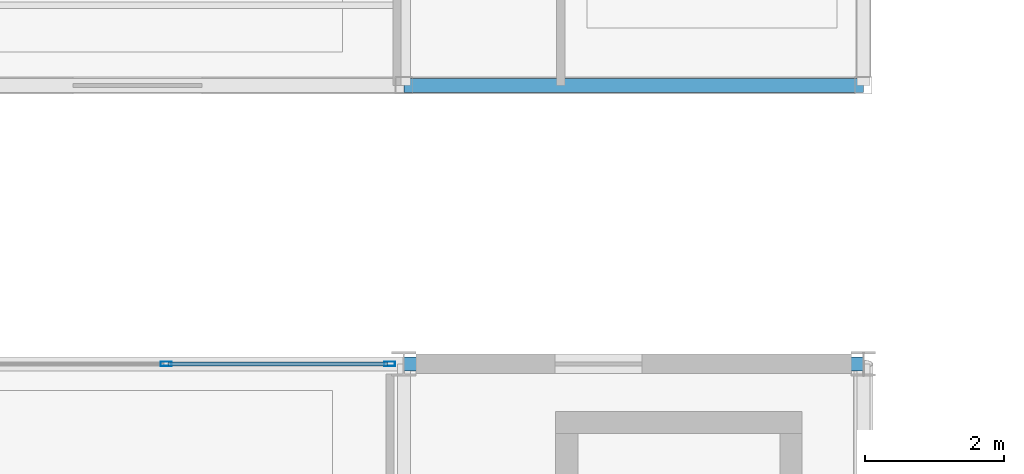
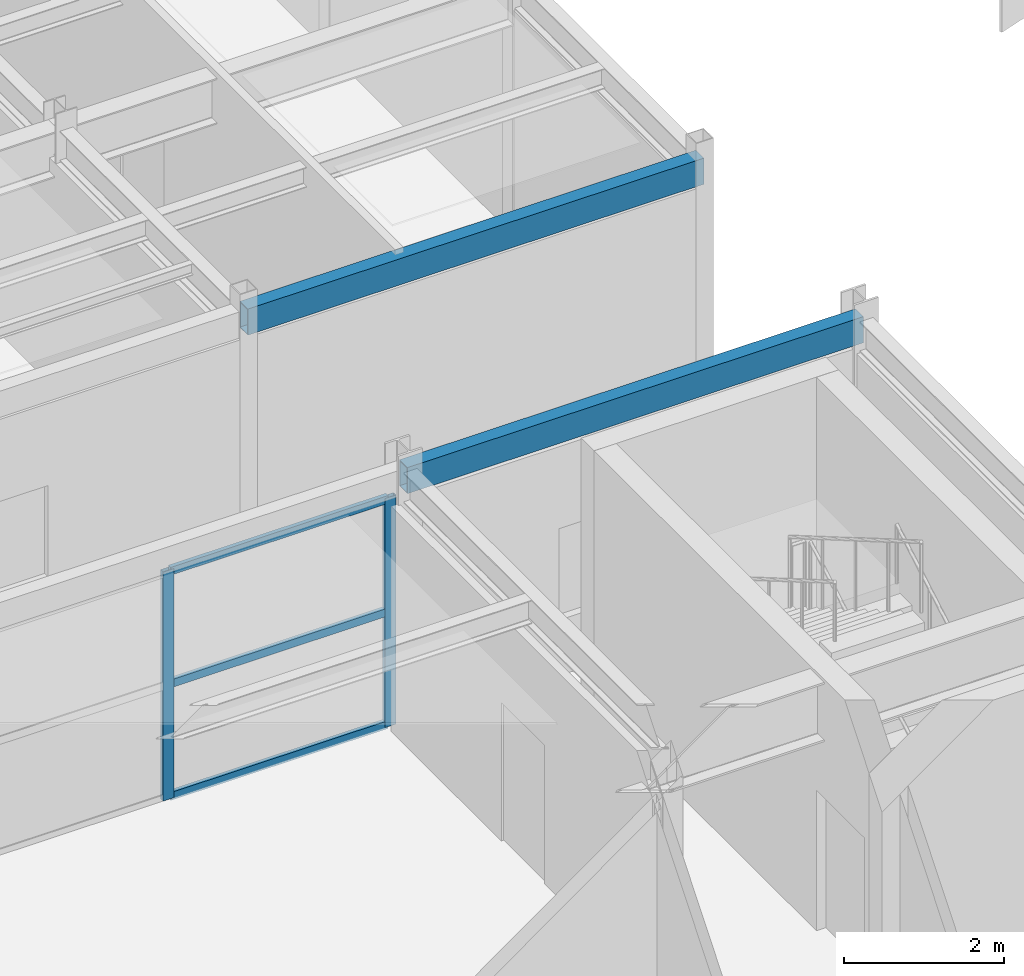
# One storey, part 23 of 148: 5 members, 2 beams, 1 element without a shape of its own.
"""IFC4 building model written with IfcOpenShell, lengths in metres."""

from ifc_helpers import new_model, si_unit, direction, frame, origin, origin_2d, place, context, subcontext, project, spatial, hollow_rectangle, extrude, material, material_profile, profile_set, type_object, element, aggregate, save


model = new_model("IFC4")

# Units and contexts
model_context = context("Model", 3, precision=1e-05, world=origin(), true_north=direction((0.0, 1.0)))
body_context = subcontext(model_context, "Body", "Model", "MODEL_VIEW")
ifc_project = project(units=[si_unit("LENGTHUNIT", "METRE"), si_unit("AREAUNIT", "SQUARE_METRE"), si_unit("VOLUMEUNIT", "CUBIC_METRE"), si_unit("PLANEANGLEUNIT", "RADIAN"), si_unit("MASSUNIT", "GRAM", prefix="KILO")], contexts=[model_context])

# Site, building, storey
site_placement = place(None, origin())
site = spatial("IfcSite", under=ifc_project, at=site_placement, CompositionType="ELEMENT")
building_placement = place(site_placement, origin())
building = spatial("IfcBuilding", under=site, at=building_placement, Name="Karori Crest Natural Sciences Institute", CompositionType="ELEMENT")
storey_placement = place(building_placement, frame((0.0, 0.0, 4.89990234375)))
storey = spatial("IfcBuildingStorey", under=building, at=storey_placement, Name="L01", CompositionType="ELEMENT", Elevation=4.89990234375)

# Beams
ifc_material_1 = material(Name="Hollow structural steel AS/NZS 1163 Grade C350", Category="steel")
ifc_material_profile_1 = material_profile(ifc_material_1, hollow_rectangle(XDim=0.199951171875, YDim=0.39990234375, WallThickness=0.012451171875, at=origin_2d()), Name="RHS400x200x12.5")
ifc_profile_set_1 = profile_set([ifc_material_profile_1], Name="Hollow structural steel AS/NZS 1163 Grade C350")
beam_type = type_object("IfcBeamType", Name="BT-14", PredefinedType="SPANDREL", material=ifc_profile_set_1)
for number, where, z_axis, x_axis, name in (
    (1, (20.60009765625, 27.199951171875, 3.72021484375), (1.0, 0.0, 0.0), (0.0, 1.0, 0.0), "Beam B-0822"),
    (2, (20.60009765625, 31.199951171875, 3.72021484375), (1.0, 0.0, 0.0), (0.0, 1.0, 0.0), "Beam B-1010"),
):
    element("IfcBeam", number, at=place(storey_placement, frame(where, z_axis=z_axis, x_axis=x_axis)), inside=storey, type_object=beam_type, Name=name, PredefinedType="SPANDREL", context=body_context, shape_type="SweptSolid", body=[
        extrude(hollow_rectangle(XDim=0.199951171875, YDim=0.39990234375, WallThickness=0.012451171875, at=origin_2d()), origin(), (0.0, 0.0, 1.0), 6.599853515625),
    ])

# Curtain wall, members
ifc_material_2 = material(Name="Anodised architectural aluminium 6063-T6", Category="aluminium")
curtain_wall_type = type_object("IfcCurtainWallType", Name="CWT-16", PredefinedType="NOTDEFINED", material=ifc_material_2)
curtain_wall_placement = place(storey_placement, origin())
curtain_wall = element("IfcCurtainWall", 3, at=curtain_wall_placement, inside=storey, type_object=curtain_wall_type, Name="Curtain wall CW-0252", PredefinedType="NOTDEFINED")
ifc_material_profile_2 = material_profile(ifc_material_2, hollow_rectangle(XDim=0.06494140625, YDim=0.159912109375, WallThickness=0.00390625, at=origin_2d()), Name="CWM160x65x4")
ifc_profile_set_2 = profile_set([ifc_material_profile_2], Name="Anodised architectural aluminium 6063-T6")
member_type_1 = type_object("IfcMemberType", Name="CWM-01", PredefinedType="MULLION", material=ifc_profile_set_2)
member_1_placement = place(storey_placement, frame((17.1845703125, 27.199951171875, 0.0), z_axis=(0.0, 0.0, 1.0), x_axis=(0.0, 1.0, 0.0)))
member_1 = element("IfcMember", 4, at=member_1_placement, type_object=member_type_1, Name="CW-0252 mullion 6", PredefinedType="MULLION", context=body_context, shape_type="SweptSolid", body=[
    extrude(hollow_rectangle(XDim=0.06494140625, YDim=0.159912109375, WallThickness=0.00390625, at=origin_2d()), origin(), (0.0, 0.0, 1.0), 3.505126953125),
])
member_2_placement = place(storey_placement, frame((20.39453125, 27.199951171875, 0.0), z_axis=(0.0, 0.0, 1.0), x_axis=(0.0, 1.0, 0.0)))
member_2 = element("IfcMember", 5, at=member_2_placement, type_object=member_type_1, Name="CW-0252 mullion 7", PredefinedType="MULLION", context=body_context, shape_type="SweptSolid", body=[
    extrude(hollow_rectangle(XDim=0.06494140625, YDim=0.159912109375, WallThickness=0.00390625, at=origin_2d()), origin(), (0.0, 0.0, 1.0), 3.505126953125),
])
ifc_material_profile_3 = material_profile(ifc_material_2, hollow_rectangle(XDim=0.06005859375, YDim=0.1201171875, WallThickness=0.00390625, at=origin_2d()), Name="CWT120x60x4")
ifc_profile_set_3 = profile_set([ifc_material_profile_3], Name="Anodised architectural aluminium 6063-T6")
member_type_2 = type_object("IfcMemberType", Name="CWT-TR1", PredefinedType="USERDEFINED", material=ifc_profile_set_3)
member_3_placement = place(storey_placement, frame((17.21728515625, 27.199951171875, 0.030029296875), z_axis=(1.0, 0.0, 0.0), x_axis=(0.0, 1.0, 0.0)))
member_3 = element("IfcMember", 6, at=member_3_placement, type_object=member_type_2, Name="CW-0252 transom 6.1", ObjectType="TRANSOM", PredefinedType="USERDEFINED", context=body_context, shape_type="SweptSolid", body=[
    extrude(hollow_rectangle(XDim=0.06005859375, YDim=0.1201171875, WallThickness=0.00390625, at=origin_2d()), origin(), (0.0, 0.0, 1.0), 3.144775390625),
])
member_4_placement = place(storey_placement, frame((17.21728515625, 27.199951171875, 1.752685546875), z_axis=(1.0, 0.0, 0.0), x_axis=(0.0, 1.0, 0.0)))
member_4 = element("IfcMember", 7, at=member_4_placement, type_object=member_type_2, Name="CW-0252 transom 6.2", ObjectType="TRANSOM", PredefinedType="USERDEFINED", context=body_context, shape_type="SweptSolid", body=[
    extrude(hollow_rectangle(XDim=0.06005859375, YDim=0.1201171875, WallThickness=0.00390625, at=origin_2d()), origin(), (0.0, 0.0, 1.0), 3.144775390625),
])
member_5_placement = place(storey_placement, frame((17.21728515625, 27.199951171875, 3.47509765625), z_axis=(1.0, 0.0, 0.0), x_axis=(0.0, 1.0, 0.0)))
member_5 = element("IfcMember", 8, at=member_5_placement, type_object=member_type_2, Name="CW-0252 transom 6.3", ObjectType="TRANSOM", PredefinedType="USERDEFINED", context=body_context, shape_type="SweptSolid", body=[
    extrude(hollow_rectangle(XDim=0.06005859375, YDim=0.1201171875, WallThickness=0.00390625, at=origin_2d()), origin(), (0.0, 0.0, 1.0), 3.144775390625),
])
aggregate(curtain_wall, [member_1, member_2, member_3, member_4, member_5])

save(model, "model.ifc")
